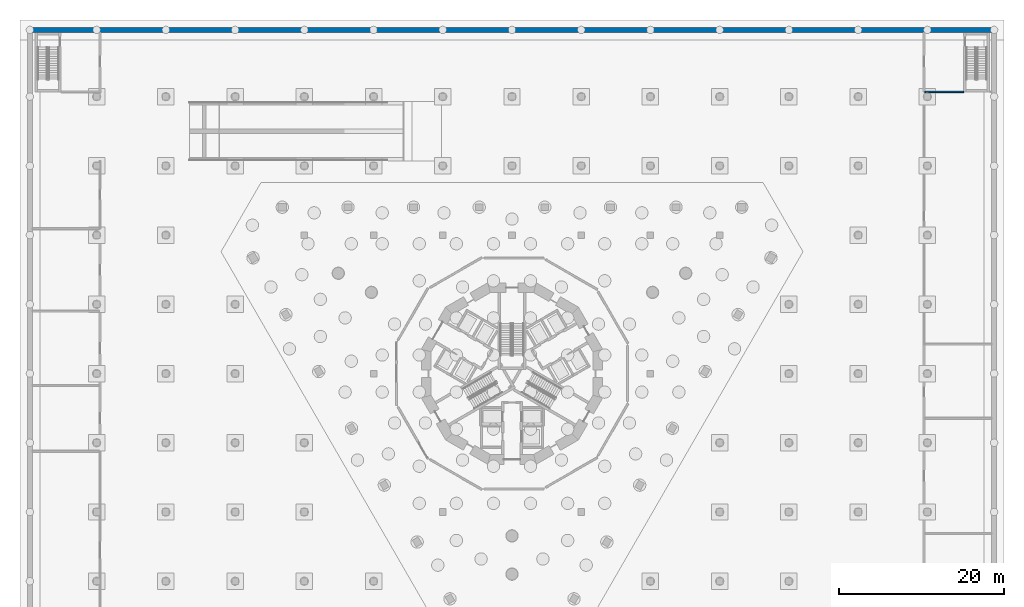
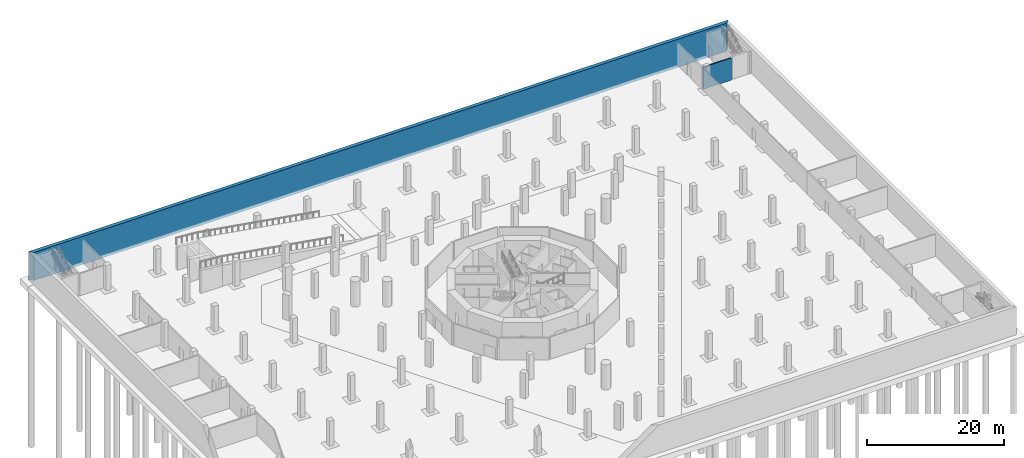
# One storey, part 13 of 23: 2 walls.
"""IFC4 building model written with IfcOpenShell, lengths in metres."""

from ifc_helpers import new_model, si_unit, direction, frame, frame_2d, origin, place, context, subcontext, project, spatial, polyline, rectangle, outline, extrude, material, layer, layer_set, type_object, element, save


model = new_model("IFC4")

# Units and contexts
model_context = context("Model", 3, precision=1e-05, world=origin(), true_north=direction((0.0, 1.0)))
body_context = subcontext(model_context, "Body", "Model", "MODEL_VIEW")
ifc_project = project(units=[si_unit("LENGTHUNIT", "METRE"), si_unit("AREAUNIT", "SQUARE_METRE"), si_unit("VOLUMEUNIT", "CUBIC_METRE"), si_unit("PLANEANGLEUNIT", "RADIAN"), si_unit("MASSUNIT", "GRAM", prefix="KILO")], contexts=[model_context])

# Site, building, storey
site_placement = place(None, origin())
site = spatial("IfcSite", under=ifc_project, at=site_placement, CompositionType="ELEMENT")
building_placement = place(site_placement, origin())
building = spatial("IfcBuilding", under=site, at=building_placement, Name="Trine Commons Tower", CompositionType="ELEMENT")
storey_placement = place(building_placement, frame((0.0, 0.0, -9.0)))
storey = spatial("IfcBuildingStorey", under=building, at=storey_placement, Name="B2", CompositionType="ELEMENT", Elevation=-9.0)

# Walls
ifc_material_1 = material(Name="Plasterboard on steel stud", Category="steel")
ifc_layer_1 = layer(ifc_material_1, 0.199951171875)
ifc_layer_set_1 = layer_set([ifc_layer_1], Name="Plasterboard on steel stud")
wall_type_1 = type_object("IfcWallType", Name="Fire wall 200 mm, EI 120", PredefinedType="PARTITIONING", material=ifc_layer_set_1)
wall_1_placement = place(storey_placement, frame((130.10009765625, 96.679931640625, 0.0), z_axis=(0.0, 0.0, 1.0), x_axis=(1.0, 0.0, 0.0)))
element("IfcWall", 1, at=wall_1_placement, inside=storey, type_object=wall_type_1, Name="Partition B2033", PredefinedType="PARTITIONING", context=body_context, shape_type="SweptSolid", body=[
    extrude(rectangle(XDim=4.7001953125, YDim=0.199951171875, at=frame_2d((2.35009765625, 0.0))), origin(), (0.0, 0.0, 1.0), 3.949951171875),
])
ifc_material_2 = material(Name="Concrete C40/50", Category="concrete")
ifc_layer_2 = layer(ifc_material_2, 0.60009765625)
ifc_layer_set_2 = layer_set([ifc_layer_2], Name="Concrete C40/50")
wall_type_2 = type_object("IfcWallType", Name="RC retaining wall 600 mm, C40/50", PredefinedType="SOLIDWALL", material=ifc_layer_set_2)
wall_2_placement = place(storey_placement, frame((138.5, 104.199951171875, -0.5), z_axis=(0.0, 0.0, 1.0), x_axis=(-1.0, 0.0, 0.0)))
element("IfcWall", 2, at=wall_2_placement, inside=storey, type_object=wall_type_2, Name="Retaining wall B2 N", PredefinedType="SOLIDWALL", context=body_context, shape_type="SweptSolid", body=[
    extrude(outline(polyline([(-0.300048828125, -0.300048828125), (117.300048828125, -0.300048828125), (116.699951171875, 0.300048828125), (0.300048828125, 0.300048828125), (-0.300048828125, -0.300048828125)])), origin(), (0.0, 0.0, 1.0), 5.0),
])

save(model, "model.ifc")
